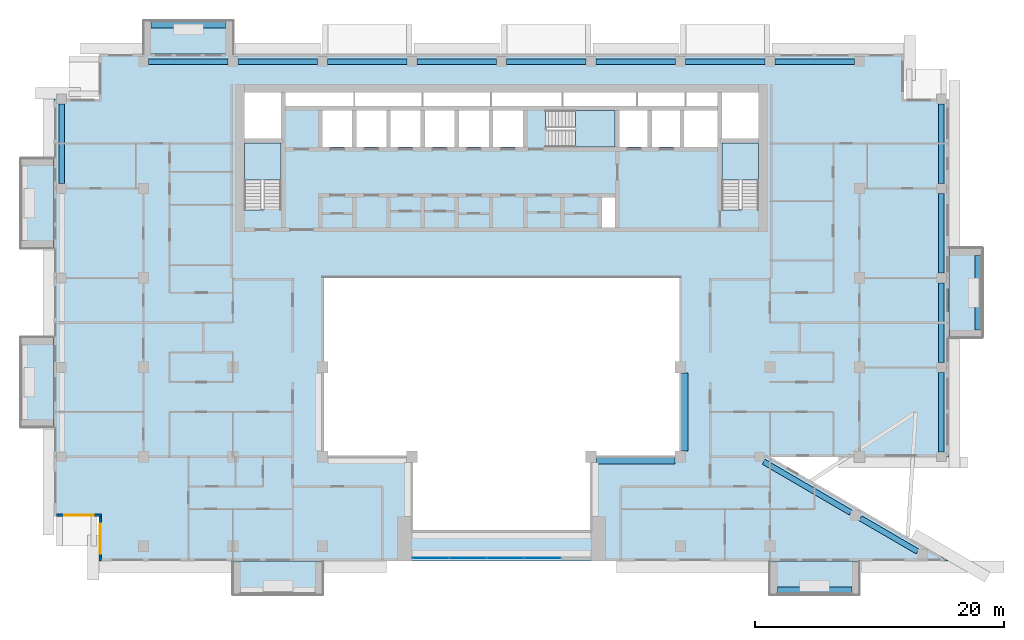
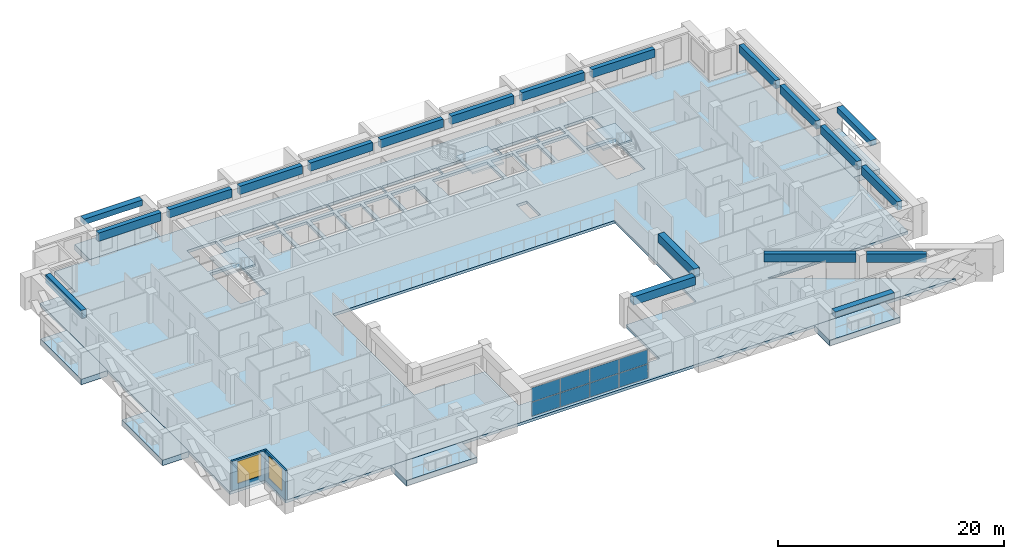
# One storey, part 5 of 20: 20 beams, 10 slabs, 8 plates, 2 walls, 2 windows, 2 openings, 4 elements without a shape of their own.
"""IFC4 building model written with IfcOpenShell, lengths in metres."""

from ifc_helpers import new_model, si_unit, direction, frame, frame_2d, origin, origin_2d, place, context, subcontext, project, spatial, polyline, rectangle, outline, extrude, source, transform, mapped, material, layer, layer_set, material_profile, profile_set, type_object, element, fill, aggregate, save


model = new_model("IFC4")

# Units and contexts
model_context = context("Model", 3, precision=1e-05, world=origin(), true_north=direction((0.0, 1.0)))
body_context = subcontext(model_context, "Body", "Model", "MODEL_VIEW")
ifc_project = project(units=[si_unit("LENGTHUNIT", "METRE"), si_unit("AREAUNIT", "SQUARE_METRE"), si_unit("VOLUMEUNIT", "CUBIC_METRE"), si_unit("PLANEANGLEUNIT", "RADIAN"), si_unit("MASSUNIT", "GRAM", prefix="KILO")], contexts=[model_context])

# Site, building, storey
site_placement = place(None, origin())
site = spatial("IfcSite", under=ifc_project, at=site_placement, CompositionType="ELEMENT")
building_placement = place(site_placement, origin())
building = spatial("IfcBuilding", under=site, at=building_placement, Name="Saffron Iwan Residences", CompositionType="ELEMENT")
storey_placement = place(building_placement, frame((0.0, 0.0, 178.0)))
storey = spatial("IfcBuildingStorey", under=building, at=storey_placement, Name="L47", CompositionType="ELEMENT", Elevation=178.0)

# Beams
ifc_material_1 = material(Name="Concrete C50/60", Category="concrete")
ifc_material_profile_1 = material_profile(ifc_material_1, rectangle(XDim=0.449951171875, YDim=0.89990234375, at=origin_2d()), Name="RC 450x900")
ifc_profile_set_1 = profile_set([ifc_material_profile_1], Name="Concrete C50/60")
beam_type_1 = type_object("IfcBeamType", Name="SPANDREL BEAM RC 450x900 C50/60 TOP 3200", PredefinedType="SPANDREL", material=ifc_profile_set_1)
shared_shape_1 = source(origin(), body_context, "Body", "SweptSolid", [
    extrude(rectangle(XDim=0.449951171875, YDim=0.89990234375, at=origin_2d()), origin(), (0.0, 0.0, 1.0), 5.300537109375),
])
beam_1_placement = place(storey_placement, frame((79.297607421875, 43.04833984375, 2.75), z_axis=(0.86379560586, -0.503842387357, 0.0), x_axis=(0.503842387357, 0.86379560586, 0.0)))
element("IfcBeam", 1, at=beam_1_placement, inside=storey, type_object=beam_type_1, Name="Spandrel beam", PredefinedType="SPANDREL", context=body_context, shape_type="MappedRepresentation", body=[
    mapped(shared_shape_1, transform((0.0, 0.0, 0.0))),
])
shared_shape_2 = source(origin(), body_context, "Body", "SweptSolid", [
    extrude(rectangle(XDim=0.449951171875, YDim=0.89990234375, at=origin_2d()), origin(), (0.0, 0.0, 1.0), 8.107177734375),
])
beam_2_placement = place(storey_placement, frame((71.494873046875, 47.60009765625, 2.75), z_axis=(0.863783269703, -0.503863536071, 0.0), x_axis=(0.503863536071, 0.863783269703, 0.0)))
element("IfcBeam", 2, at=beam_2_placement, inside=storey, type_object=beam_type_1, Name="Spandrel beam", PredefinedType="SPANDREL", context=body_context, shape_type="MappedRepresentation", body=[
    mapped(shared_shape_2, transform((0.0, 0.0, 0.0))),
])
shared_shape_3 = source(origin(), body_context, "Body", "SweptSolid", [
    extrude(rectangle(XDim=0.449951171875, YDim=0.89990234375, at=origin_2d()), origin(), (0.0, 0.0, 1.0), 6.400146484375),
])
for number, where, z_axis, x_axis, name in (
    (3, (85.800048828125, 54.800048828125, 2.75), (0.0, -1.0, 0.0), (1.0, 0.0, 0.0), "Spandrel beam"),
    (4, (29.199951171875, 79.800048828125, 2.75), (1.0, 0.0, 0.0), (0.0, 1.0, 0.0), "Spandrel beam"),
    (5, (36.39990234375, 79.800048828125, 2.75), (1.0, 0.0, 0.0), (0.0, 1.0, 0.0), "Spandrel beam"),
    (6, (65.199951171875, 79.800048828125, 2.75), (1.0, 0.0, 0.0), (0.0, 1.0, 0.0), "Spandrel beam"),
    (7, (72.39990234375, 79.800048828125, 2.75), (1.0, 0.0, 0.0), (0.0, 1.0, 0.0), "Spandrel beam"),
):
    element("IfcBeam", number, at=place(storey_placement, frame(where, z_axis=z_axis, x_axis=x_axis)), inside=storey, type_object=beam_type_1, Name=name, PredefinedType="SPANDREL", context=body_context, shape_type="MappedRepresentation", body=[
        mapped(shared_shape_3, transform((0.0, 0.0, 0.0))),
    ])
shared_shape_4 = source(origin(), body_context, "Body", "SweptSolid", [
    extrude(rectangle(XDim=0.449951171875, YDim=0.89990234375, at=origin_2d()), origin(), (0.0, 0.0, 1.0), 6.39990234375),
])
for number, where, z_axis, x_axis, name in (
    (8, (85.800048828125, 62.0, 2.75), (0.0, -1.0, 0.0), (1.0, 0.0, 0.0), "Spandrel beam"),
    (9, (85.800048828125, 69.199951171875, 2.75), (0.0, -1.0, 0.0), (1.0, 0.0, 0.0), "Spandrel beam"),
    (10, (15.0, 70.0, 2.75), (0.0, 1.0, 0.0), (-1.0, 0.0, 0.0), "Spandrel beam"),
    (11, (85.800048828125, 76.39990234375, 2.75), (0.0, -1.0, 0.0), (1.0, 0.0, 0.0), "Spandrel beam"),
    (12, (22.0, 79.800048828125, 2.75), (1.0, 0.0, 0.0), (0.0, 1.0, 0.0), "Spandrel beam"),
    (13, (43.60009765625, 79.800048828125, 2.75), (1.0, 0.0, 0.0), (0.0, 1.0, 0.0), "Spandrel beam"),
    (14, (50.800048828125, 79.800048828125, 2.75), (1.0, 0.0, 0.0), (0.0, 1.0, 0.0), "Spandrel beam"),
    (15, (58.0, 79.800048828125, 2.75), (1.0, 0.0, 0.0), (0.0, 1.0, 0.0), "Spandrel beam"),
):
    element("IfcBeam", number, at=place(storey_placement, frame(where, z_axis=z_axis, x_axis=x_axis)), inside=storey, type_object=beam_type_1, Name=name, PredefinedType="SPANDREL", context=body_context, shape_type="MappedRepresentation", body=[
        mapped(shared_shape_4, transform((0.0, 0.0, 0.0))),
    ])
ifc_material_profile_2 = material_profile(ifc_material_1, rectangle(XDim=0.60009765625, YDim=0.89990234375, at=origin_2d()), Name="RC 600x900")
ifc_profile_set_2 = profile_set([ifc_material_profile_2], Name="Concrete C50/60")
beam_type_2 = type_object("IfcBeamType", Name="BEAM RC 600x900 C50/60 TOP 3200", PredefinedType="BEAM", material=ifc_profile_set_2)
shared_shape_5 = source(origin(), body_context, "Body", "SweptSolid", [
    extrude(rectangle(XDim=0.60009765625, YDim=0.89990234375, at=origin_2d()), origin(), (0.0, 0.0, 1.0), 6.300048828125),
])
for number, where, z_axis, x_axis, name in (
    (16, (64.35009765625, 47.699951171875, 2.75), (-1.0, 0.0, 0.0), (0.0, -1.0, 0.0), "Atrium edge beam"),
    (17, (65.10009765625, 54.75, 2.75), (0.0, -1.0, 0.0), (1.0, 0.0, 0.0), "Atrium edge beam"),
):
    element("IfcBeam", number, at=place(storey_placement, frame(where, z_axis=z_axis, x_axis=x_axis)), inside=storey, type_object=beam_type_2, Name=name, PredefinedType="BEAM", context=body_context, shape_type="MappedRepresentation", body=[
        mapped(shared_shape_5, transform((0.0, 0.0, 0.0))),
    ])
ifc_material_2 = material(Name="Concrete C50/60 white painted", Category="concrete")
ifc_material_profile_3 = material_profile(ifc_material_2, rectangle(XDim=0.60009765625, YDim=0.60009765625, at=origin_2d()), Name="BALCONY FASCIA BEAM 600 x 600")
ifc_profile_set_3 = profile_set([ifc_material_profile_3], Name="Concrete C50/60 white painted")
beam_type_3 = type_object("IfcBeamType", Name="BALCONY FASCIA BEAM 600 x 600", PredefinedType="BEAM", material=ifc_profile_set_3)
shared_shape_6 = source(origin(), body_context, "Body", "SweptSolid", [
    extrude(rectangle(XDim=0.60009765625, YDim=0.60009765625, at=origin_2d()), origin(), (0.0, 0.0, 1.0), 6.0),
])
for number, where, z_axis, x_axis, name in (
    (18, (88.800048828125, 58.199951171875, 2.550048828125), (0.0, 1.0, 0.0), (-1.0, 0.0, 0.0), "Balcony fascia beam L47 F2-0"),
    (19, (28.199951171875, 82.800048828125, 2.550048828125), (-1.0, 0.0, 0.0), (0.0, -1.0, 0.0), "Balcony fascia beam L47 F5-3"),
    (20, (72.60009765625, 37.199951171875, 2.550048828125), (1.0, 0.0, 0.0), (0.0, 1.0, 0.0), "Balcony fascia beam L47 11-1"),
):
    element("IfcBeam", number, at=place(storey_placement, frame(where, z_axis=z_axis, x_axis=x_axis)), inside=storey, type_object=beam_type_3, Name=name, PredefinedType="BEAM", context=body_context, shape_type="MappedRepresentation", body=[
        mapped(shared_shape_6, transform((0.0, 0.0, 0.0))),
    ])

# Slabs
ifc_layer_1 = layer(ifc_material_2, 0.60009765625)
ifc_layer_set_1 = layer_set([ifc_layer_1], Name="Concrete C50/60 white painted")
slab_type_1 = type_object("IfcSlabType", Name="BALCONY FRAME SLAB 600", PredefinedType="FLOOR", material=ifc_layer_set_1)
slab_1_placement = place(storey_placement, frame((0.0, 0.0, -0.60009765625)))
element("IfcSlab", 21, at=slab_1_placement, inside=storey, type_object=slab_type_1, Name="Balcony frame slab L47 F2-0", PredefinedType="FLOOR", context=body_context, shape_type="SweptSolid", body=[
    extrude(outline(polyline([(89.10009765625, 57.60009765625), (89.10009765625, 64.800048828125), (86.39990234375, 64.800048828125), (86.39990234375, 57.60009765625), (89.10009765625, 57.60009765625)])), origin(), (0.0, 0.0, 1.0), 0.60009765625),
])
slab_2_placement = place(storey_placement, frame((0.0, 0.0, -0.60009765625)))
element("IfcSlab", 22, at=slab_2_placement, inside=storey, type_object=slab_type_1, Name="Balcony frame slab L47 F5-3", PredefinedType="FLOOR", context=body_context, shape_type="SweptSolid", body=[
    extrude(outline(polyline([(28.800048828125, 83.10009765625), (21.60009765625, 83.10009765625), (21.60009765625, 80.39990234375), (28.800048828125, 80.39990234375), (28.800048828125, 83.10009765625)])), origin(), (0.0, 0.0, 1.0), 0.60009765625),
])
slab_3_placement = place(storey_placement, frame((0.0, 0.0, -0.60009765625)))
element("IfcSlab", 23, at=slab_3_placement, inside=storey, type_object=slab_type_1, Name="Balcony frame slab L47 F8-0", PredefinedType="FLOOR", context=body_context, shape_type="SweptSolid", body=[
    extrude(outline(polyline([(11.699951171875, 72.0), (11.699951171875, 64.800048828125), (14.39990234375, 64.800048828125), (14.39990234375, 72.0), (11.699951171875, 72.0)])), origin(), (0.0, 0.0, 1.0), 0.60009765625),
])
slab_4_placement = place(storey_placement, frame((0.0, 0.0, -0.60009765625)))
element("IfcSlab", 24, at=slab_4_placement, inside=storey, type_object=slab_type_1, Name="Balcony frame slab L47 F8-1", PredefinedType="FLOOR", context=body_context, shape_type="SweptSolid", body=[
    extrude(outline(polyline([(11.699951171875, 57.60009765625), (11.699951171875, 50.39990234375), (14.39990234375, 50.39990234375), (14.39990234375, 57.60009765625), (11.699951171875, 57.60009765625)])), origin(), (0.0, 0.0, 1.0), 0.60009765625),
])
slab_5_placement = place(storey_placement, frame((0.0, 0.0, -0.60009765625)))
element("IfcSlab", 25, at=slab_5_placement, inside=storey, type_object=slab_type_1, Name="Balcony frame slab L47 11-0", PredefinedType="FLOOR", context=body_context, shape_type="SweptSolid", body=[
    extrude(outline(polyline([(28.800048828125, 36.89990234375), (36.0, 36.89990234375), (36.0, 39.60009765625), (28.800048828125, 39.60009765625), (28.800048828125, 36.89990234375)])), origin(), (0.0, 0.0, 1.0), 0.60009765625),
])
slab_6_placement = place(storey_placement, frame((0.0, 0.0, -0.60009765625)))
element("IfcSlab", 26, at=slab_6_placement, inside=storey, type_object=slab_type_1, Name="Balcony frame slab L47 11-1", PredefinedType="FLOOR", context=body_context, shape_type="SweptSolid", body=[
    extrude(outline(polyline([(72.0, 36.89990234375), (79.199951171875, 36.89990234375), (79.199951171875, 39.60009765625), (72.0, 39.60009765625), (72.0, 36.89990234375)])), origin(), (0.0, 0.0, 1.0), 0.60009765625),
])
ifc_material_3 = material(Name="Concrete C40/50", Category="concrete")
ifc_layer_2 = layer(ifc_material_3, 0.300048828125)
ifc_layer_set_2 = layer_set([ifc_layer_2], Name="Concrete C40/50")
slab_type_2 = type_object("IfcSlabType", Name="PT PLATE 300 C40/50", PredefinedType="FLOOR", material=ifc_layer_set_2)
slab_7_placement = place(storey_placement, frame((0.0, 0.0, -0.300048828125)))
element("IfcSlab", 27, at=slab_7_placement, inside=storey, type_object=slab_type_2, Name="Floor slab L47", PredefinedType="FLOOR", context=body_context, shape_type="SweptSolid", body=[
    extrude(outline(polyline([(14.39990234375, 43.199951171875), (14.39990234375, 76.800048828125), (18.0, 76.800048828125), (18.0, 80.39990234375), (82.800048828125, 80.39990234375), (82.800048828125, 76.800048828125), (86.39990234375, 76.800048828125), (86.39990234375, 48.0), (72.0, 48.0), (86.39990234375, 39.60009765625), (18.0, 39.60009765625), (18.0, 43.199951171875), (14.39990234375, 43.199951171875)]), holes=[polyline([(64.800048828125, 48.0), (64.800048828125, 62.39990234375), (36.0, 62.39990234375), (36.0, 48.0), (43.199951171875, 48.0), (43.199951171875, 42.0), (57.60009765625, 42.0), (57.60009765625, 48.0), (64.800048828125, 48.0)]), polyline([(29.699951171875, 73.25), (29.699951171875, 67.949951171875), (29.699951171875, 67.8505859375), (31.10009765625, 67.8505859375), (31.10009765625, 67.949951171875), (32.64990234375, 67.949951171875), (32.64990234375, 73.25), (29.699951171875, 73.25)]), polyline([(38.375, 75.875), (35.97509765625, 75.875), (35.97509765625, 72.925048828125), (38.375, 72.925048828125), (38.375, 75.875)]), polyline([(41.125, 75.875), (38.72509765625, 75.875), (38.72509765625, 72.925048828125), (41.125, 72.925048828125), (41.125, 75.875)]), polyline([(43.875, 72.925048828125), (43.875, 75.875), (41.47509765625, 75.875), (41.47509765625, 72.925048828125), (43.875, 72.925048828125)]), polyline([(46.625, 72.925048828125), (46.625, 75.875), (44.22509765625, 75.875), (44.22509765625, 72.925048828125), (46.625, 72.925048828125)]), polyline([(49.375, 75.875), (46.97509765625, 75.875), (46.97509765625, 72.925048828125), (49.375, 72.925048828125), (49.375, 75.875)]), polyline([(52.125, 72.925048828125), (52.125, 75.875), (49.72509765625, 75.875), (49.72509765625, 72.925048828125), (52.125, 72.925048828125)]), polyline([(32.64990234375, 73.60009765625), (32.64990234375, 77.300048828125), (29.699951171875, 77.300048828125), (29.699951171875, 73.60009765625), (32.64990234375, 73.60009765625)]), polyline([(38.5, 77.300048828125), (33.0, 77.300048828125), (33.0, 76.22509765625), (38.5, 76.22509765625), (38.5, 77.300048828125)]), polyline([(44.0, 76.22509765625), (44.0, 77.300048828125), (38.60009765625, 77.300048828125), (38.60009765625, 76.22509765625), (44.0, 76.22509765625)]), polyline([(49.5, 76.22509765625), (49.5, 77.300048828125), (44.10009765625, 77.300048828125), (44.10009765625, 76.22509765625), (49.5, 76.22509765625)]), polyline([(59.550048828125, 68.875), (58.47509765625, 68.875), (58.47509765625, 66.449951171875), (59.550048828125, 66.449951171875), (59.550048828125, 68.875)]), polyline([(68.14990234375, 73.25), (68.14990234375, 67.949951171875), (68.14990234375, 67.8505859375), (69.550048828125, 67.8505859375), (69.550048828125, 67.949951171875), (71.10009765625, 67.949951171875), (71.10009765625, 73.25), (68.14990234375, 73.25)]), polyline([(54.02490234375, 74.47509765625), (54.02490234375, 72.925048828125), (59.550048828125, 72.925048828125), (59.550048828125, 75.875), (54.02490234375, 75.875), (53.925537109375, 75.875), (53.925537109375, 74.47509765625), (54.02490234375, 74.47509765625)]), polyline([(62.14990234375, 72.925048828125), (62.14990234375, 75.875), (59.89990234375, 75.875), (59.89990234375, 72.925048828125), (62.14990234375, 72.925048828125)]), polyline([(64.75, 72.925048828125), (64.75, 75.875), (62.5, 75.875), (62.5, 72.925048828125), (64.75, 72.925048828125)]), polyline([(67.800048828125, 75.875), (65.10009765625, 75.875), (65.10009765625, 72.925048828125), (67.800048828125, 72.925048828125), (67.800048828125, 75.875)]), polyline([(71.10009765625, 73.60009765625), (71.10009765625, 77.300048828125), (68.14990234375, 77.300048828125), (68.14990234375, 73.60009765625), (71.10009765625, 73.60009765625)]), polyline([(55.25, 76.22509765625), (55.25, 77.300048828125), (49.60009765625, 77.300048828125), (49.60009765625, 76.22509765625), (55.25, 76.22509765625)]), polyline([(61.25, 77.300048828125), (55.35009765625, 77.300048828125), (55.35009765625, 76.22509765625), (61.25, 76.22509765625), (61.25, 77.300048828125)]), polyline([(65.14990234375, 76.22509765625), (65.14990234375, 77.300048828125), (61.35009765625, 77.300048828125), (61.35009765625, 76.22509765625), (65.14990234375, 76.22509765625)]), polyline([(67.800048828125, 76.22509765625), (67.800048828125, 77.300048828125), (65.25, 77.300048828125), (65.25, 76.22509765625), (67.800048828125, 76.22509765625)])]), origin(), (0.0, 0.0, 1.0), 0.300048828125),
])

# Stair, slab
stair_type = type_object("IfcStairType", Name="Stair ST-CORE", PredefinedType="HALF_TURN_STAIR", material=ifc_material_1)
stair_1_placement = place(storey_placement, origin())
stair_1 = element("IfcStair", 28, at=stair_1_placement, inside=storey, type_object=stair_type, Name="L47 Exit Stair ST-W", PredefinedType="HALF_TURN_STAIR")
ifc_layer_3 = layer(ifc_material_1, 0.199951171875)
ifc_layer_set_3 = layer_set([ifc_layer_3], Name="Concrete C50/60")
slab_type_3 = type_object("IfcSlabType", Name="Stair landing SL-RC", PredefinedType="LANDING", material=ifc_layer_set_3)
slab_8_placement = place(storey_placement, frame((0.0, 0.0, 1.5498046875)))
slab_8 = element("IfcSlab", 29, at=slab_8_placement, type_object=slab_type_3, Name="ST-W landing 1", PredefinedType="LANDING", context=body_context, shape_type="SweptSolid", body=[
    extrude(outline(polyline([(32.64990234375, 70.280029296875), (32.64990234375, 73.25), (29.699951171875, 73.25), (29.699951171875, 70.280029296875), (32.64990234375, 70.280029296875)])), origin(), (0.0, 0.0, 1.0), 0.2001953125),
])
aggregate(stair_1, [slab_8])

stair_2_placement = place(storey_placement, origin())
stair_2 = element("IfcStair", 30, at=stair_2_placement, inside=storey, type_object=stair_type, Name="L47 Exit Stair ST-C", PredefinedType="HALF_TURN_STAIR")
slab_9_placement = place(storey_placement, frame((0.0, 0.0, 1.5498046875)))
slab_9 = element("IfcSlab", 31, at=slab_9_placement, type_object=slab_type_3, Name="ST-C landing 1", PredefinedType="LANDING", context=body_context, shape_type="SweptSolid", body=[
    extrude(outline(polyline([(56.35498046875, 72.925048828125), (59.550048828125, 72.925048828125), (59.550048828125, 75.875), (56.35498046875, 75.875), (56.35498046875, 72.925048828125)])), origin(), (0.0, 0.0, 1.0), 0.2001953125),
])
aggregate(stair_2, [slab_9])

stair_3_placement = place(storey_placement, origin())
stair_3 = element("IfcStair", 32, at=stair_3_placement, inside=storey, type_object=stair_type, Name="L47 Exit Stair ST-E", PredefinedType="HALF_TURN_STAIR")
slab_10_placement = place(storey_placement, frame((0.0, 0.0, 1.5498046875)))
slab_10 = element("IfcSlab", 33, at=slab_10_placement, type_object=slab_type_3, Name="ST-E landing 1", PredefinedType="LANDING", context=body_context, shape_type="SweptSolid", body=[
    extrude(outline(polyline([(71.10009765625, 70.280029296875), (71.10009765625, 73.25), (68.14990234375, 73.25), (68.14990234375, 70.280029296875), (71.10009765625, 70.280029296875)])), origin(), (0.0, 0.0, 1.0), 0.2001953125),
])
aggregate(stair_3, [slab_10])

# Curtain wall, plates
ifc_material_4 = material(Name="Clear glass, laminated double glazed", Category="glass")
ifc_layer_4 = layer(ifc_material_4, 0.199951171875)
ifc_layer_set_4 = layer_set([ifc_layer_4], Name="Clear glass, laminated double glazed")
curtain_wall_type = type_object("IfcCurtainWallType", Name="CW-B IWAN PORTAL", PredefinedType="NOTDEFINED", material=ifc_layer_set_4)
curtain_wall_placement = place(storey_placement, origin())
curtain_wall = element("IfcCurtainWall", 34, at=curtain_wall_placement, inside=storey, type_object=curtain_wall_type, Name="Iwan portal glazing L47.1", PredefinedType="NOTDEFINED")
ifc_layer_5 = layer(ifc_material_4, 0.028076171875)
ifc_layer_set_5 = layer_set([ifc_layer_5], Name="Clear glass, laminated double glazed")
plate_type = type_object("IfcPlateType", Name="CW-B PANEL 28", PredefinedType="CURTAIN_PANEL", material=ifc_layer_set_5)
shared_shape_7 = source(origin(), body_context, "Body", "SweptSolid", [
    extrude(rectangle(XDim=2.909912109375, YDim=0.028076171875, at=origin_2d()), origin(), (0.0, 0.0, 1.0), 1.510009765625),
])
plate_1_placement = place(storey_placement, frame((44.715087890625, 39.85009765625, 0.06005859375), z_axis=(0.0, 0.0, 1.0), x_axis=(1.0, 0.0, 0.0)))
plate_1 = element("IfcPlate", 35, at=plate_1_placement, type_object=plate_type, Name="CW-B panel 1.1", PredefinedType="CURTAIN_PANEL", context=body_context, shape_type="MappedRepresentation", body=[
    mapped(shared_shape_7, transform((0.0, 0.0, 0.0))),
])
plate_2_placement = place(storey_placement, frame((44.715087890625, 39.85009765625, 1.6298828125), z_axis=(0.0, 0.0, 1.0), x_axis=(1.0, 0.0, 0.0)))
plate_2 = element("IfcPlate", 36, at=plate_2_placement, type_object=plate_type, Name="CW-B panel 1.2", PredefinedType="CURTAIN_PANEL", context=body_context, shape_type="MappedRepresentation", body=[
    mapped(shared_shape_7, transform((0.0, 0.0, 0.0))),
])
plate_3_placement = place(storey_placement, frame((53.68505859375, 39.85009765625, 0.06005859375), z_axis=(0.0, 0.0, 1.0), x_axis=(1.0, 0.0, 0.0)))
plate_3 = element("IfcPlate", 37, at=plate_3_placement, type_object=plate_type, Name="CW-B panel 4.1", PredefinedType="CURTAIN_PANEL", context=body_context, shape_type="MappedRepresentation", body=[
    mapped(shared_shape_7, transform((0.0, 0.0, 0.0))),
])
plate_4_placement = place(storey_placement, frame((53.68505859375, 39.85009765625, 1.6298828125), z_axis=(0.0, 0.0, 1.0), x_axis=(1.0, 0.0, 0.0)))
plate_4 = element("IfcPlate", 38, at=plate_4_placement, type_object=plate_type, Name="CW-B panel 4.2", PredefinedType="CURTAIN_PANEL", context=body_context, shape_type="MappedRepresentation", body=[
    mapped(shared_shape_7, transform((0.0, 0.0, 0.0))),
])
shared_shape_8 = source(origin(), body_context, "Body", "SweptSolid", [
    extrude(rectangle(XDim=2.93994140625, YDim=0.028076171875, at=origin_2d()), origin(), (0.0, 0.0, 1.0), 1.510009765625),
])
plate_5_placement = place(storey_placement, frame((47.699951171875, 39.85009765625, 0.06005859375), z_axis=(0.0, 0.0, 1.0), x_axis=(1.0, 0.0, 0.0)))
plate_5 = element("IfcPlate", 39, at=plate_5_placement, type_object=plate_type, Name="CW-B panel 2.1", PredefinedType="CURTAIN_PANEL", context=body_context, shape_type="MappedRepresentation", body=[
    mapped(shared_shape_8, transform((0.0, 0.0, 0.0))),
])
plate_6_placement = place(storey_placement, frame((47.699951171875, 39.85009765625, 1.6298828125), z_axis=(0.0, 0.0, 1.0), x_axis=(1.0, 0.0, 0.0)))
plate_6 = element("IfcPlate", 40, at=plate_6_placement, type_object=plate_type, Name="CW-B panel 2.2", PredefinedType="CURTAIN_PANEL", context=body_context, shape_type="MappedRepresentation", body=[
    mapped(shared_shape_8, transform((0.0, 0.0, 0.0))),
])
plate_7_placement = place(storey_placement, frame((50.699951171875, 39.85009765625, 0.06005859375), z_axis=(0.0, 0.0, 1.0), x_axis=(1.0, 0.0, 0.0)))
plate_7 = element("IfcPlate", 41, at=plate_7_placement, type_object=plate_type, Name="CW-B panel 3.1", PredefinedType="CURTAIN_PANEL", context=body_context, shape_type="MappedRepresentation", body=[
    mapped(shared_shape_8, transform((0.0, 0.0, 0.0))),
])
plate_8_placement = place(storey_placement, frame((50.699951171875, 39.85009765625, 1.6298828125), z_axis=(0.0, 0.0, 1.0), x_axis=(1.0, 0.0, 0.0)))
plate_8 = element("IfcPlate", 42, at=plate_8_placement, type_object=plate_type, Name="CW-B panel 3.2", PredefinedType="CURTAIN_PANEL", context=body_context, shape_type="MappedRepresentation", body=[
    mapped(shared_shape_8, transform((0.0, 0.0, 0.0))),
])
aggregate(curtain_wall, [plate_1, plate_2, plate_5, plate_6, plate_7, plate_8, plate_3, plate_4])

# Wall, opening, window
ifc_layer_6 = layer(ifc_material_3, 0.199951171875)
ifc_layer_set_6 = layer_set([ifc_layer_6], Name="Concrete C40/50")
wall_type = type_object("IfcWallType", Name="EXTERNAL WALL 200", PredefinedType="SOLIDWALL", material=ifc_layer_set_6)
wall_1_placement = place(storey_placement, frame((14.60009765625, 43.300048828125, 0.0), z_axis=(0.0, 0.0, 1.0), x_axis=(1.0, 0.0, 0.0)))
wall_1 = element("IfcWall", 43, at=wall_1_placement, inside=storey, type_object=wall_type, Name="External wall L47 F9.0", PredefinedType="SOLIDWALL", context=body_context, shape_type="SweptSolid", body=[
    extrude(rectangle(XDim=3.599853515625, YDim=0.199951171875, at=frame_2d((1.7998046875, 0.0))), origin(), (0.0, 0.0, 1.0), 3.199951171875),
])
opening_1_placement = place(wall_1_placement, frame((0.60009765625, 0.0, 0.60009765625)))
opening_1 = element("IfcOpeningElement", 44, at=opening_1_placement, cuts=wall_1, Name="Opening W1", PredefinedType="OPENING", context=body_context, shape_type="SweptSolid", body=[
    extrude(rectangle(XDim=2.39990234375, YDim=2.39990234375, at=frame_2d((1.199951171875, 1.199951171875))), frame((0.0, 0.10986328125, 0.0), z_axis=(0.0, -1.0, 0.0), x_axis=(1.0, 0.0, 0.0)), (0.0, 0.0, 1.0), 0.219970703125),
])
window_type = type_object("IfcWindowType", Name="WINDOW 2400 x 2400", PartitioningType="DOUBLE_PANEL_VERTICAL", PredefinedType="WINDOW", material=ifc_material_4)
window_1_placement = place(opening_1_placement, origin())
window_1 = element("IfcWindow", 45, at=window_1_placement, inside=storey, type_object=window_type, Name="Window L47 F9.0", OverallHeight=2.39990234375, OverallWidth=2.39990234375, PartitioningType="DOUBLE_PANEL_VERTICAL", PredefinedType="WINDOW", context=body_context, shape_type="SweptSolid", body=[
    extrude(rectangle(XDim=2.39990234375, YDim=2.39990234375, at=frame_2d((1.199951171875, 1.199951171875))), frame((0.0, 0.030029296875, 0.0), z_axis=(0.0, -1.0, 0.0), x_axis=(1.0, 0.0, 0.0)), (0.0, 0.0, 1.0), 0.06005859375),
])
fill(opening_1, window_1)

wall_2_placement = place(storey_placement, frame((18.10009765625, 43.199951171875, 0.0), z_axis=(0.0, 0.0, 1.0), x_axis=(0.0, -1.0, 0.0)))
wall_2 = element("IfcWall", 46, at=wall_2_placement, inside=storey, type_object=wall_type, Name="External wall L47 F10.0", PredefinedType="SOLIDWALL", context=body_context, shape_type="SweptSolid", body=[
    extrude(rectangle(XDim=3.599853515625, YDim=0.199951171875, at=frame_2d((1.7998046875, 0.0))), origin(), (0.0, 0.0, 1.0), 3.199951171875),
])
opening_2_placement = place(wall_2_placement, frame((0.60009765625, 0.0, 0.60009765625)))
opening_2 = element("IfcOpeningElement", 47, at=opening_2_placement, cuts=wall_2, Name="Opening W1", PredefinedType="OPENING", context=body_context, shape_type="SweptSolid", body=[
    extrude(rectangle(XDim=2.39990234375, YDim=2.39990234375, at=frame_2d((1.199951171875, 1.199951171875))), frame((0.0, 0.10986328125, 0.0), z_axis=(0.0, -1.0, 0.0), x_axis=(1.0, 0.0, 0.0)), (0.0, 0.0, 1.0), 0.219970703125),
])
window_2_placement = place(opening_2_placement, origin())
window_2 = element("IfcWindow", 48, at=window_2_placement, inside=storey, type_object=window_type, Name="Window L47 F10.0", OverallHeight=2.39990234375, OverallWidth=2.39990234375, PartitioningType="DOUBLE_PANEL_VERTICAL", PredefinedType="WINDOW", context=body_context, shape_type="SweptSolid", body=[
    extrude(rectangle(XDim=2.39990234375, YDim=2.39990234375, at=frame_2d((1.199951171875, 1.199951171875))), frame((0.0, 0.030029296875, 0.0), z_axis=(0.0, -1.0, 0.0), x_axis=(1.0, 0.0, 0.0)), (0.0, 0.0, 1.0), 0.06005859375),
])
fill(opening_2, window_2)

save(model, "model.ifc")
